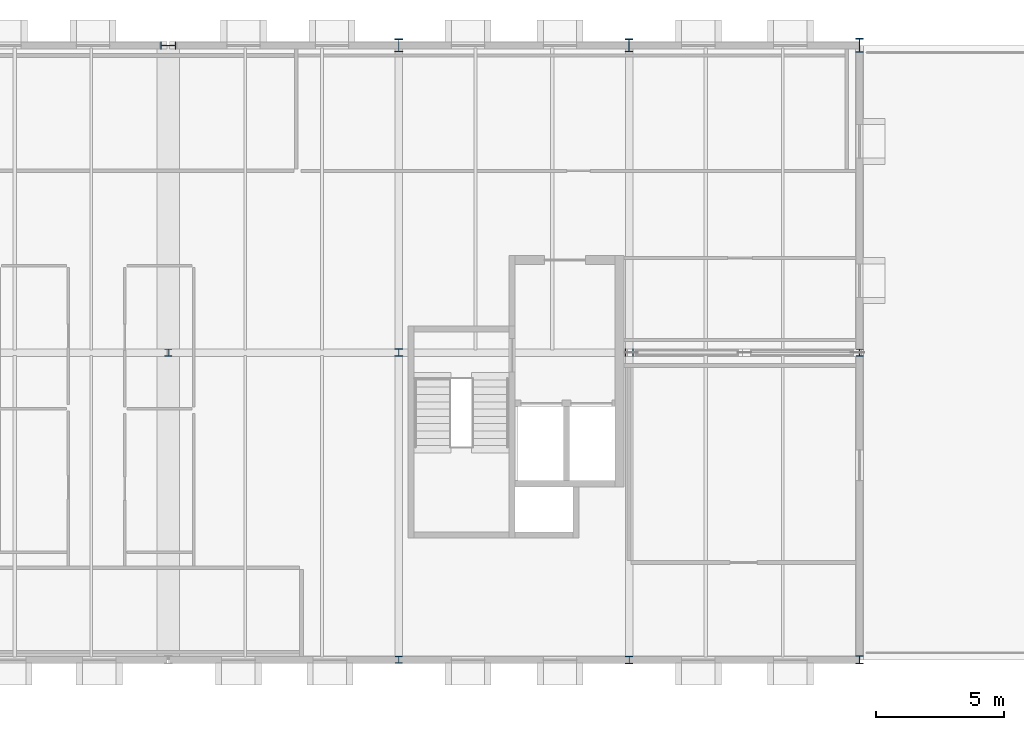
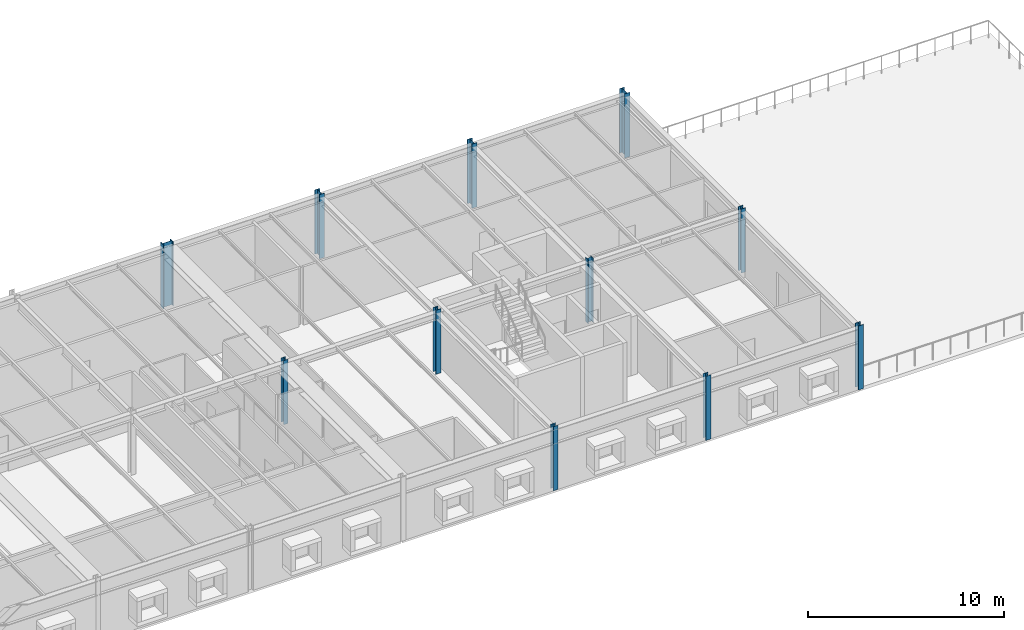
# One storey, part 3 of 17: 11 columns.
"""IFC4 building model written with IfcOpenShell, lengths in metres."""

from ifc_helpers import new_model, si_unit, direction, frame, origin, origin_2d, place, context, subcontext, project, spatial, i_section, extrude, material, material_profile, profile_set, type_object, element, save


model = new_model("IFC4")

# Units and contexts
model_context = context("Model", 3, precision=1e-05, world=origin(), true_north=direction((0.0, 1.0)))
body_context = subcontext(model_context, "Body", "Model", "MODEL_VIEW")
ifc_project = project(units=[si_unit("LENGTHUNIT", "METRE"), si_unit("AREAUNIT", "SQUARE_METRE"), si_unit("VOLUMEUNIT", "CUBIC_METRE"), si_unit("PLANEANGLEUNIT", "RADIAN"), si_unit("MASSUNIT", "GRAM", prefix="KILO")], contexts=[model_context])

# Site, building, storey
site_placement = place(None, origin())
site = spatial("IfcSite", under=ifc_project, at=site_placement, CompositionType="ELEMENT")
building_placement = place(site_placement, origin())
building = spatial("IfcBuilding", under=site, at=building_placement, Name="Montelvaro Courts of Justice", CompositionType="ELEMENT")
storey_placement = place(building_placement, frame((0.0, 0.0, 27.39990234375)))
storey = spatial("IfcBuildingStorey", under=building, at=storey_placement, Name="L06", CompositionType="ELEMENT", Elevation=27.39990234375)

# Columns
ifc_material = material(Name="Steel S355", Category="steel")
ifc_material_profile_1 = material_profile(ifc_material, i_section(OverallWidth=0.280029296875, OverallDepth=0.280029296875, WebThickness=0.010498046875, FlangeThickness=0.01806640625, at=origin_2d()), Name="HEB 280")
ifc_profile_set_1 = profile_set([ifc_material_profile_1], Name="Steel S355")
column_type_1 = type_object("IfcColumnType", Name="Col_HEB280", PredefinedType="COLUMN", material=ifc_profile_set_1)
for number, where, z_axis, x_axis, name in (
    (1, (99.0, 12.0, 0.0), (0.0, 0.0, 1.0), (1.0, 0.0, 0.0), "Column C-02 L06 12/B"),
    (2, (108.0, 0.0, 0.0), (0.0, 0.0, 1.0), (1.0, 0.0, 0.0), "Column C-02 L06 13/A"),
    (3, (126.0, 12.0, 0.0), (0.0, 0.0, 1.0), (1.0, 0.0, 0.0), "Column C-02 L06 15/B"),
):
    element("IfcColumn", number, at=place(storey_placement, frame(where, z_axis=z_axis, x_axis=x_axis)), inside=storey, type_object=column_type_1, Name=name, PredefinedType="COLUMN", context=body_context, shape_type="SweptSolid", body=[
        extrude(i_section(OverallWidth=0.280029296875, OverallDepth=0.280029296875, WebThickness=0.010498046875, FlangeThickness=0.01806640625, at=origin_2d()), origin(), (0.0, 0.0, 1.0), 4.0),
    ])
ifc_material_profile_2 = material_profile(ifc_material, i_section(OverallWidth=0.300048828125, OverallDepth=0.300048828125, WebThickness=0.010986328125, FlangeThickness=0.01904296875, at=origin_2d()), Name="HEB 300")
ifc_profile_set_2 = profile_set([ifc_material_profile_2], Name="Steel S355")
column_type_2 = type_object("IfcColumnType", Name="Col_HEB300", PredefinedType="COLUMN", material=ifc_profile_set_2)
for number, where, z_axis, x_axis, name in (
    (4, (108.0, 12.0, 0.0), (0.0, 0.0, 1.0), (1.0, 0.0, 0.0), "Column C-03 L06 13/B"),
    (5, (117.0, 0.0, 0.0), (0.0, 0.0, 1.0), (1.0, 0.0, 0.0), "Column C-03 L06 14/A"),
):
    element("IfcColumn", number, at=place(storey_placement, frame(where, z_axis=z_axis, x_axis=x_axis)), inside=storey, type_object=column_type_2, Name=name, PredefinedType="COLUMN", context=body_context, shape_type="SweptSolid", body=[
        extrude(i_section(OverallWidth=0.300048828125, OverallDepth=0.300048828125, WebThickness=0.010986328125, FlangeThickness=0.01904296875, at=origin_2d()), origin(), (0.0, 0.0, 1.0), 4.0),
    ])
ifc_material_profile_3 = material_profile(ifc_material, i_section(OverallWidth=0.300048828125, OverallDepth=0.320068359375, WebThickness=0.011474609375, FlangeThickness=0.0205078125, at=origin_2d()), Name="HEB 320")
ifc_profile_set_3 = profile_set([ifc_material_profile_3], Name="Steel S355")
column_type_3 = type_object("IfcColumnType", Name="Col_HEB320", PredefinedType="COLUMN", material=ifc_profile_set_3)
for number, where, z_axis, x_axis, name in (
    (6, (117.0, 12.0, 0.0), (0.0, 0.0, 1.0), (0.0, 1.0, 0.0), "Column C-04 L06 14/B"),
    (7, (126.0, 0.0, 0.0), (0.0, 0.0, 1.0), (1.0, 0.0, 0.0), "Column C-04 L06 15/A"),
):
    element("IfcColumn", number, at=place(storey_placement, frame(where, z_axis=z_axis, x_axis=x_axis)), inside=storey, type_object=column_type_3, Name=name, PredefinedType="COLUMN", context=body_context, shape_type="SweptSolid", body=[
        extrude(i_section(OverallWidth=0.300048828125, OverallDepth=0.320068359375, WebThickness=0.011474609375, FlangeThickness=0.0205078125, at=origin_2d()), origin(), (0.0, 0.0, 1.0), 4.0),
    ])
ifc_material_profile_4 = material_profile(ifc_material, i_section(OverallWidth=0.300048828125, OverallDepth=0.5, WebThickness=0.014404296875, FlangeThickness=0.028076171875, at=origin_2d()), Name="HEB 500")
ifc_profile_set_4 = profile_set([ifc_material_profile_4], Name="Steel S355")
column_type_4 = type_object("IfcColumnType", Name="Col_HEB500", PredefinedType="COLUMN", material=ifc_profile_set_4)
for number, where, z_axis, x_axis, name in (
    (8, (108.0, 24.0, 0.0), (0.0, 0.0, 1.0), (1.0, 0.0, 0.0), "Column C-09 L06 13/C"),
    (9, (117.0, 24.0, 0.0), (0.0, 0.0, 1.0), (1.0, 0.0, 0.0), "Column C-09 L06 14/C"),
):
    element("IfcColumn", number, at=place(storey_placement, frame(where, z_axis=z_axis, x_axis=x_axis)), inside=storey, type_object=column_type_4, Name=name, PredefinedType="COLUMN", context=body_context, shape_type="SweptSolid", body=[
        extrude(i_section(OverallWidth=0.300048828125, OverallDepth=0.5, WebThickness=0.014404296875, FlangeThickness=0.028076171875, at=origin_2d()), origin(), (0.0, 0.0, 1.0), 4.0),
    ])
ifc_material_profile_5 = material_profile(ifc_material, i_section(OverallWidth=0.300048828125, OverallDepth=0.550048828125, WebThickness=0.014892578125, FlangeThickness=0.029052734375, at=origin_2d()), Name="HEB 550")
ifc_profile_set_5 = profile_set([ifc_material_profile_5], Name="Steel S355")
column_type_5 = type_object("IfcColumnType", Name="Col_HEB550", PredefinedType="COLUMN", material=ifc_profile_set_5)
column_1_placement = place(storey_placement, frame((126.0, 24.0, 0.0), z_axis=(0.0, 0.0, 1.0), x_axis=(1.0, 0.0, 0.0)))
element("IfcColumn", 10, at=column_1_placement, inside=storey, type_object=column_type_5, Name="Column C-10 L06 15/C", PredefinedType="COLUMN", context=body_context, shape_type="SweptSolid", body=[
    extrude(i_section(OverallWidth=0.300048828125, OverallDepth=0.550048828125, WebThickness=0.014892578125, FlangeThickness=0.029052734375, at=origin_2d()), origin(), (0.0, 0.0, 1.0), 4.0),
])
ifc_material_profile_6 = material_profile(ifc_material, i_section(OverallWidth=0.300048828125, OverallDepth=0.60009765625, WebThickness=0.015380859375, FlangeThickness=0.030029296875, at=origin_2d()), Name="HEB 600")
ifc_profile_set_6 = profile_set([ifc_material_profile_6], Name="Steel S355")
column_type_6 = type_object("IfcColumnType", Name="Col_HEB600", PredefinedType="COLUMN", material=ifc_profile_set_6)
column_2_placement = place(storey_placement, frame((99.0, 24.0, 0.0), z_axis=(0.0, 0.0, 1.0), x_axis=(0.0, 1.0, 0.0)))
element("IfcColumn", 11, at=column_2_placement, inside=storey, type_object=column_type_6, Name="Column C-11 L06 12/C", PredefinedType="COLUMN", context=body_context, shape_type="SweptSolid", body=[
    extrude(i_section(OverallWidth=0.300048828125, OverallDepth=0.60009765625, WebThickness=0.015380859375, FlangeThickness=0.030029296875, at=origin_2d()), origin(), (0.0, 0.0, 1.0), 4.0),
])

save(model, "model.ifc")
